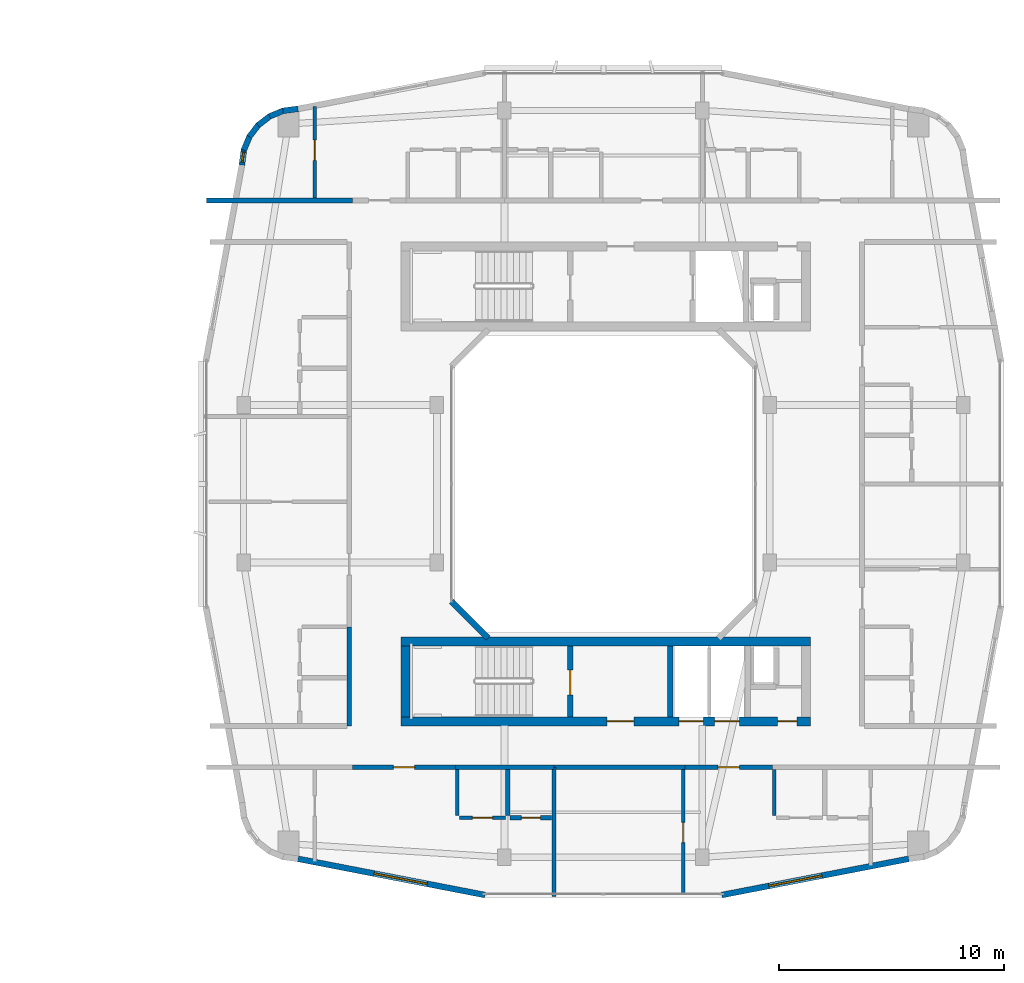
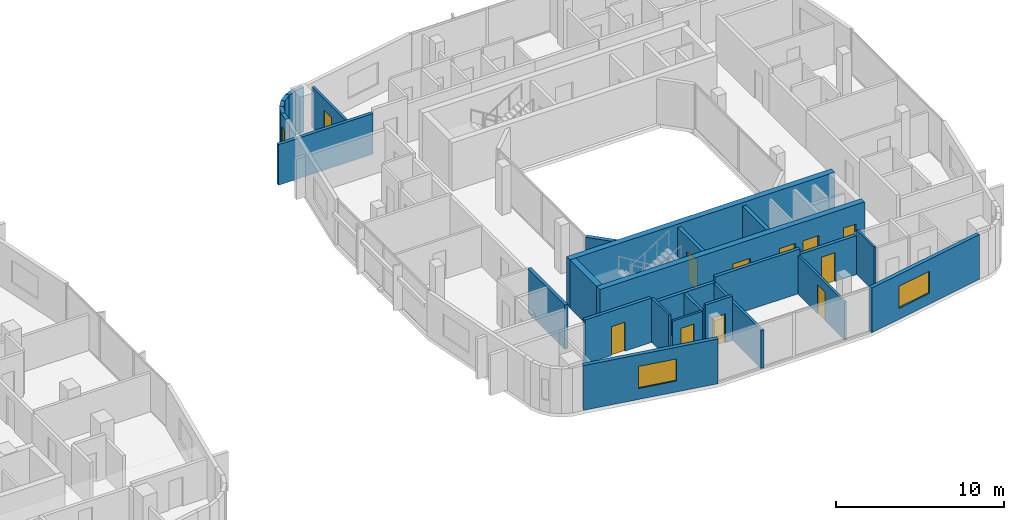
# One storey, part 17 of 26: 28 walls, 11 doors, 3 windows, 14 openings.
"""IFC4 building model written with IfcOpenShell, lengths in metres."""

from ifc_helpers import new_model, si_unit, derived_unit, direction, frame, frame_2d, origin, place, context, subcontext, project, spatial, rectangle, extrude, material, layer, layer_set, type_object, element, fill, save


model = new_model("IFC4")

# Units and contexts
model_context = context("Model", 3, precision=1e-05, world=origin(), true_north=direction((0.0, 1.0)))
body_context = subcontext(model_context, "Body", "Model", "MODEL_VIEW")
ifc_project = project(units=[si_unit("LENGTHUNIT", "METRE"), si_unit("AREAUNIT", "SQUARE_METRE"), si_unit("VOLUMEUNIT", "CUBIC_METRE"), si_unit("PLANEANGLEUNIT", "RADIAN"), si_unit("MASSUNIT", "GRAM", prefix="KILO"), derived_unit("THERMALTRANSMITTANCEUNIT", [(si_unit("POWERUNIT", "WATT"), 1), (si_unit("LENGTHUNIT", "METRE"), -2), (si_unit("THERMODYNAMICTEMPERATUREUNIT", "KELVIN"), -1)])], contexts=[model_context])

# Site, building, storey
site_placement = place(None, origin())
site = spatial("IfcSite", under=ifc_project, at=site_placement, CompositionType="ELEMENT")
building_placement = place(site_placement, origin())
building = spatial("IfcBuilding", under=site, at=building_placement, Name="Kivonza Crest Hotel", CompositionType="ELEMENT")
storey_placement = place(building_placement, frame((0.0, 0.0, 102.0)))
storey = spatial("IfcBuildingStorey", under=building, at=storey_placement, Name="L27", CompositionType="ELEMENT", Elevation=102.0)

# Walls
ifc_material_1 = material(Name="High-density acoustic masonry inter-tenancy wall", Category="masonry")
ifc_layer_1 = layer(ifc_material_1, 0.179931640625)
ifc_layer_set_1 = layer_set([ifc_layer_1], Name="High-density acoustic masonry inter-tenancy wall")
wall_type_1 = type_object("IfcWallType", Name="WL-ACOU-180", PredefinedType="SOLIDWALL", material=ifc_layer_set_1)
wall_1_placement = place(storey_placement, frame((74.800048828125, 6.659912109375, 0.0), z_axis=(0.0, 0.0, 1.0), x_axis=(0.0, 1.0, 0.0)))
element("IfcWall", 1, at=wall_1_placement, inside=storey, type_object=wall_type_1, Name="L27 interior partition WA-L27-T2S-DIV1", PredefinedType="SOLIDWALL", context=body_context, shape_type="SweptSolid", body=[
    extrude(rectangle(XDim=5.739990234375, YDim=0.179931640625, at=frame_2d((2.8701171875, 0.0))), origin(), (0.0, 0.0, 1.0), 2.77490234375),
])
ifc_material_2 = material(Name="Autoclaved aerated concrete blockwork", Category="masonry")
ifc_layer_2 = layer(ifc_material_2, 0.219970703125)
ifc_layer_set_2 = layer_set([ifc_layer_2], Name="Autoclaved aerated concrete blockwork")
wall_type_2 = type_object("IfcWallType", Name="WL-ACOU-220", PredefinedType="SOLIDWALL", material=ifc_layer_set_2)
wall_2_placement = place(storey_placement, frame((59.360107421875, 37.60009765625, 0.0), z_axis=(0.0, 0.0, 1.0), x_axis=(1.0, 0.0, 0.0)))
element("IfcWall", 2, at=wall_2_placement, inside=storey, type_object=wall_type_2, Name="L27 interior partition WA-L27-A01-LCORR", PredefinedType="SOLIDWALL", context=body_context, shape_type="SweptSolid", body=[
    extrude(rectangle(XDim=6.489990234375, YDim=0.219970703125, at=frame_2d((3.2451171875, 0.0))), origin(), (0.0, 0.0, 1.0), 2.945068359375),
])
wall_3_placement = place(storey_placement, frame((70.419921875, 12.39990234375, 0.0), z_axis=(0.0, 0.0, 1.0), x_axis=(1.0, 0.0, 0.0)))
element("IfcWall", 3, at=wall_3_placement, inside=storey, type_object=wall_type_2, Name="L27 interior partition WA-L27-A04-RCORR", PredefinedType="SOLIDWALL", context=body_context, shape_type="SweptSolid", body=[
    extrude(rectangle(XDim=4.380126953125, YDim=0.219970703125, at=frame_2d((2.18994140625, 0.0))), origin(), (0.0, 0.0, 1.0), 2.824951171875),
])

# Wall, opening, door
wall_4_placement = place(storey_placement, frame((65.85009765625, 12.39990234375, 0.0), z_axis=(0.0, 0.0, 1.0), x_axis=(1.0, 0.0, 0.0)))
wall_4 = element("IfcWall", 4, at=wall_4_placement, inside=storey, type_object=wall_type_2, Name="L27 interior partition WA-L27-A04-MCORR", PredefinedType="SOLIDWALL", context=body_context, shape_type="SweptSolid", body=[
    extrude(rectangle(XDim=4.56982421875, YDim=0.219970703125, at=frame_2d((2.284912109375, 0.0))), origin(), (0.0, 0.0, 1.0), 3.219970703125),
])
opening_1_placement = place(wall_4_placement, frame((1.81005859375, 0.0, 0.0)))
opening_1 = element("IfcOpeningElement", 5, at=opening_1_placement, cuts=wall_4, Name="Opening DU-60", PredefinedType="OPENING", context=body_context, shape_type="SweptSolid", body=[
    extrude(rectangle(XDim=0.949951171875, YDim=2.10009765625, at=frame_2d((0.47509765625, 1.050048828125))), frame((0.0, 0.1201171875, 0.0), z_axis=(0.0, -1.0, 0.0), x_axis=(1.0, 0.0, 0.0)), (0.0, 0.0, 1.0), 0.239990234375),
])
ifc_material_3 = material(Name="Hardwood timber oak", Category="wood")
door_type_1 = type_object("IfcDoorType", Name="DR-UNIT-950", OperationType="NOTDEFINED", PredefinedType="DOOR", material=ifc_material_3)
door_1_placement = place(opening_1_placement, frame((0.949951171875, 0.0, 0.0), z_axis=(0.0, 0.0, 1.0), x_axis=(-1.0, 0.0, 0.0)))
door_1 = element("IfcDoor", 6, at=door_1_placement, inside=storey, type_object=door_type_1, Name="L27 A04 apartment entrance fire door", OperationType="SINGLE_SWING_RIGHT", OverallHeight=2.10009765625, OverallWidth=0.949951171875, PredefinedType="DOOR", context=body_context, shape_type="SweptSolid", body=[
    extrude(rectangle(XDim=0.949951171875, YDim=2.10009765625, at=frame_2d((0.47509765625, 1.050048828125))), frame((0.0, 0.02490234375, 0.0), z_axis=(0.0, -1.0, 0.0), x_axis=(1.0, 0.0, 0.0)), (0.0, 0.0, 1.0), 0.050048828125),
])
fill(opening_1, door_1)

# Wall
wall_5_placement = place(storey_placement, frame((74.800048828125, 12.39990234375, 0.0), z_axis=(0.0, 0.0, 1.0), x_axis=(1.0, 0.0, 0.0)))
element("IfcWall", 7, at=wall_5_placement, inside=storey, type_object=wall_type_2, Name="L27 interior partition WA-L27-A05-LCORR", PredefinedType="SOLIDWALL", context=body_context, shape_type="SweptSolid", body=[
    extrude(rectangle(XDim=5.829833984375, YDim=0.219970703125, at=frame_2d((2.9150390625, 0.0))), origin(), (0.0, 0.0, 1.0), 3.219970703125),
])

# Wall, opening, door
wall_6_placement = place(storey_placement, frame((80.6298828125, 12.39990234375, 0.0), z_axis=(0.0, 0.0, 1.0), x_axis=(1.0, 0.0, 0.0)))
wall_6 = element("IfcWall", 8, at=wall_6_placement, inside=storey, type_object=wall_type_2, Name="L27 interior partition WA-L27-A05-MCORR", PredefinedType="SOLIDWALL", context=body_context, shape_type="SweptSolid", body=[
    extrude(rectangle(XDim=3.880126953125, YDim=0.219970703125, at=frame_2d((1.93994140625, 0.0))), origin(), (0.0, 0.0, 1.0), 2.824951171875),
])
opening_2_placement = place(wall_6_placement, frame((1.465087890625, 0.0, 0.0)))
opening_2 = element("IfcOpeningElement", 9, at=opening_2_placement, cuts=wall_6, Name="Opening DU-60", PredefinedType="OPENING", context=body_context, shape_type="SweptSolid", body=[
    extrude(rectangle(XDim=0.949951171875, YDim=2.10009765625, at=frame_2d((0.47509765625, 1.050048828125))), frame((0.0, 0.1201171875, 0.0), z_axis=(0.0, -1.0, 0.0), x_axis=(1.0, 0.0, 0.0)), (0.0, 0.0, 1.0), 0.239990234375),
])
door_2_placement = place(opening_2_placement, frame((0.949951171875, 0.0, 0.0), z_axis=(0.0, 0.0, 1.0), x_axis=(-1.0, 0.0, 0.0)))
door_2 = element("IfcDoor", 10, at=door_2_placement, inside=storey, type_object=door_type_1, Name="L27 A05 apartment entrance fire door", OperationType="SINGLE_SWING_LEFT", OverallHeight=2.10009765625, OverallWidth=0.949951171875, PredefinedType="DOOR", context=body_context, shape_type="SweptSolid", body=[
    extrude(rectangle(XDim=0.949951171875, YDim=2.10009765625, at=frame_2d((0.47509765625, 1.050048828125))), frame((0.0, 0.02490234375, 0.0), z_axis=(0.0, -1.0, 0.0), x_axis=(1.0, 0.0, 0.0)), (0.0, 0.0, 1.0), 0.050048828125),
])
fill(opening_2, door_2)

# Wall
wall_7_placement = place(storey_placement, frame((65.699951171875, 14.239990234375, 0.0), z_axis=(0.0, 0.0, 1.0), x_axis=(0.0, 1.0, 0.0)))
element("IfcWall", 11, at=wall_7_placement, inside=storey, type_object=wall_type_2, Name="L27 interior partition WA-L27-A06-BCORR", PredefinedType="SOLIDWALL", context=body_context, shape_type="SweptSolid", body=[
    extrude(rectangle(XDim=4.39990234375, YDim=0.219970703125, at=frame_2d((2.199951171875, 0.0))), origin(), (0.0, 0.0, 1.0), 3.219970703125),
])

# Wall, openings, doors
ifc_material_4 = material(Name="Concrete C50/60", Category="concrete")
ifc_layer_3 = layer(ifc_material_4, 0.39990234375)
ifc_layer_set_3 = layer_set([ifc_layer_3], Name="Concrete C50/60")
wall_type_3 = type_object("IfcWallType", Name="WL-CORE-400", PredefinedType="SHEAR", material=ifc_layer_set_3)
wall_8_placement = place(storey_placement, frame((68.0, 14.43994140625, 0.0), z_axis=(0.0, 0.0, 1.0), x_axis=(1.0, 0.0, 0.0)))
wall_8 = element("IfcWall", 12, at=wall_8_placement, inside=storey, type_object=wall_type_3, Name="Core wall T2-S South L27", PredefinedType="SHEAR", context=body_context, shape_type="SweptSolid", body=[
    extrude(rectangle(XDim=18.199951171875, YDim=0.39990234375, at=frame_2d((9.10009765625, 0.0))), origin(), (0.0, 0.0, 1.0), 3.5),
])
opening_3_placement = place(wall_8_placement, frame((9.14990234375, 0.0, 0.0)))
opening_3 = element("IfcOpeningElement", 13, at=opening_3_placement, cuts=wall_8, Name="Opening DF-60", PredefinedType="OPENING", context=body_context, shape_type="SweptSolid", body=[
    extrude(rectangle(XDim=1.199951171875, YDim=2.14990234375, at=frame_2d((0.60009765625, 1.074951171875))), frame((0.0, 0.2099609375, 0.0), z_axis=(0.0, -1.0, 0.0), x_axis=(1.0, 0.0, 0.0)), (0.0, 0.0, 1.0), 0.419921875),
])
opening_4_placement = place(wall_8_placement, frame((16.75, 0.0, 0.0)))
opening_4 = element("IfcOpeningElement", 14, at=opening_4_placement, cuts=wall_8, Name="Opening DF-60R", PredefinedType="OPENING", context=body_context, shape_type="SweptSolid", body=[
    extrude(rectangle(XDim=0.85009765625, YDim=2.10009765625, at=frame_2d((0.425048828125, 1.050048828125))), frame((0.0, 0.2099609375, 0.0), z_axis=(0.0, -1.0, 0.0), x_axis=(1.0, 0.0, 0.0)), (0.0, 0.0, 1.0), 0.419921875),
])
opening_5_placement = place(wall_8_placement, frame((12.35009765625, 0.0, 0.0)))
opening_5 = element("IfcOpeningElement", 15, at=opening_5_placement, cuts=wall_8, Name="Opening LD-120", PredefinedType="OPENING", context=body_context, shape_type="SweptSolid", body=[
    extrude(rectangle(XDim=1.10009765625, YDim=2.14990234375, at=frame_2d((0.550048828125, 1.074951171875))), frame((0.0, 0.2099609375, 0.0), z_axis=(0.0, -1.0, 0.0), x_axis=(1.0, 0.0, 0.0)), (0.0, 0.0, 1.0), 0.419921875),
])
opening_6_placement = place(wall_8_placement, frame((13.949951171875, 0.0, 0.0)))
opening_6 = element("IfcOpeningElement", 16, at=opening_6_placement, cuts=wall_8, Name="Opening LD-120", PredefinedType="OPENING", context=body_context, shape_type="SweptSolid", body=[
    extrude(rectangle(XDim=1.10009765625, YDim=2.14990234375, at=frame_2d((0.550048828125, 1.074951171875))), frame((0.0, 0.2099609375, 0.0), z_axis=(0.0, -1.0, 0.0), x_axis=(1.0, 0.0, 0.0)), (0.0, 0.0, 1.0), 0.419921875),
])
door_type_2 = type_object("IfcDoorType", Name="DR-FD60-1200", OperationType="NOTDEFINED", PredefinedType="DOOR", material=ifc_material_3)
door_3_placement = place(opening_3_placement, frame((1.199951171875, 0.0, 0.0), z_axis=(0.0, 0.0, 1.0), x_axis=(-1.0, 0.0, 0.0)))
door_3 = element("IfcDoor", 17, at=door_3_placement, inside=storey, type_object=door_type_2, Name="L27 T2-S firefighting lobby fire door", OperationType="SINGLE_SWING_LEFT", OverallHeight=2.14990234375, OverallWidth=1.199951171875, PredefinedType="DOOR", context=body_context, shape_type="SweptSolid", body=[
    extrude(rectangle(XDim=1.199951171875, YDim=2.14990234375, at=frame_2d((0.60009765625, 1.074951171875))), frame((0.0, 0.02490234375, 0.0), z_axis=(0.0, -1.0, 0.0), x_axis=(1.0, 0.0, 0.0)), (0.0, 0.0, 1.0), 0.050048828125),
])
fill(opening_3, door_3)
door_type_3 = type_object("IfcDoorType", Name="DR-FD60-850", OperationType="NOTDEFINED", PredefinedType="DOOR", material=ifc_material_3)
door_4_placement = place(opening_4_placement, frame((0.85009765625, 0.0, 0.0), z_axis=(0.0, 0.0, 1.0), x_axis=(-1.0, 0.0, 0.0)))
door_4 = element("IfcDoor", 18, at=door_4_placement, inside=storey, type_object=door_type_3, Name="L27 T2-S core room door", OperationType="SINGLE_SWING_RIGHT", OverallHeight=2.10009765625, OverallWidth=0.85009765625, PredefinedType="DOOR", context=body_context, shape_type="SweptSolid", body=[
    extrude(rectangle(XDim=0.85009765625, YDim=2.10009765625, at=frame_2d((0.425048828125, 1.050048828125))), frame((0.0, 0.02490234375, 0.0), z_axis=(0.0, -1.0, 0.0), x_axis=(1.0, 0.0, 0.0)), (0.0, 0.0, 1.0), 0.050048828125),
])
fill(opening_4, door_4)
ifc_material_5 = material(Name="Stainless steel", Category="steel")
door_type_4 = type_object("IfcDoorType", Name="DR-LD120-1100", OperationType="NOTDEFINED", PredefinedType="DOOR", material=ifc_material_5)
door_5_placement = place(opening_5_placement, frame((1.10009765625, 0.0, 0.0), z_axis=(0.0, 0.0, 1.0), x_axis=(-1.0, 0.0, 0.0)))
door_5 = element("IfcDoor", 19, at=door_5_placement, inside=storey, type_object=door_type_4, Name="L27 PL-T2-1 passenger lift sliding landing door", OperationType="DOUBLE_DOOR_SLIDING", OverallHeight=2.14990234375, OverallWidth=1.10009765625, PredefinedType="DOOR", context=body_context, shape_type="SweptSolid", body=[
    extrude(rectangle(XDim=1.10009765625, YDim=2.14990234375, at=frame_2d((0.550048828125, 1.074951171875))), frame((0.0, 0.02490234375, 0.0), z_axis=(0.0, -1.0, 0.0), x_axis=(1.0, 0.0, 0.0)), (0.0, 0.0, 1.0), 0.050048828125),
])
fill(opening_5, door_5)
door_6_placement = place(opening_6_placement, frame((1.10009765625, 0.0, 0.0), z_axis=(0.0, 0.0, 1.0), x_axis=(-1.0, 0.0, 0.0)))
door_6 = element("IfcDoor", 20, at=door_6_placement, inside=storey, type_object=door_type_4, Name="L27 PL-T2-2 passenger lift sliding landing door", OperationType="DOUBLE_DOOR_SLIDING", OverallHeight=2.14990234375, OverallWidth=1.10009765625, PredefinedType="DOOR", context=body_context, shape_type="SweptSolid", body=[
    extrude(rectangle(XDim=1.10009765625, YDim=2.14990234375, at=frame_2d((0.550048828125, 1.074951171875))), frame((0.0, 0.02490234375, 0.0), z_axis=(0.0, -1.0, 0.0), x_axis=(1.0, 0.0, 0.0)), (0.0, 0.0, 1.0), 0.050048828125),
])
fill(opening_6, door_6)

# Walls
wall_9_placement = place(storey_placement, frame((68.0, 18.0, 0.0), z_axis=(0.0, 0.0, 1.0), x_axis=(1.0, 0.0, 0.0)))
element("IfcWall", 21, at=wall_9_placement, inside=storey, type_object=wall_type_3, Name="Core wall T2-S North L27", PredefinedType="SHEAR", context=body_context, shape_type="SweptSolid", body=[
    extrude(rectangle(XDim=18.199951171875, YDim=0.39990234375, at=frame_2d((9.10009765625, 0.0))), origin(), (0.0, 0.0, 1.0), 3.5),
])
wall_10_placement = place(storey_placement, frame((68.199951171875, 14.639892578125, 0.0), z_axis=(0.0, 0.0, 1.0), x_axis=(0.0, 1.0, 0.0)))
element("IfcWall", 22, at=wall_10_placement, inside=storey, type_object=wall_type_3, Name="Core wall T2-S West L27", PredefinedType="SHEAR", context=body_context, shape_type="SweptSolid", body=[
    extrude(rectangle(XDim=3.16015625, YDim=0.39990234375, at=frame_2d((1.580078125, 0.0))), origin(), (0.0, 0.0, 1.0), 3.5),
])

# Wall, opening, window
ifc_material_6 = material(Name="Precast concrete C40/50", Category="concrete")
ifc_layer_4 = layer(ifc_material_6, 0.260009765625)
ifc_layer_set_4 = layer_set([ifc_layer_4], Name="Precast concrete C40/50")
wall_type_4 = type_object("IfcWallType", Name="WL-EXT-260", PredefinedType="STANDARD", material=ifc_layer_set_4)
wall_11_placement = place(storey_placement, frame((63.4169921875, 8.330078125, 0.0), z_axis=(0.0, 0.0, 1.0), x_axis=(0.981750199588, -0.190175039396, 0.0)))
wall_11 = element("IfcWall", 23, at=wall_11_placement, inside=storey, type_object=wall_type_4, Name="L27 T2 exterior insulated wall 7", PredefinedType="STANDARD", context=body_context, shape_type="SweptSolid", body=[
    extrude(rectangle(XDim=8.476806640625, YDim=0.260009765625, at=frame_2d((4.23828125, 0.0))), origin(), (0.0, 0.0, 1.0), 3.25),
])
opening_7_placement = place(wall_11_placement, frame((3.4541015625, 0.0, 0.800048828125)))
opening_7 = element("IfcOpeningElement", 24, at=opening_7_placement, cuts=wall_11, Name="Opening WN-05", PredefinedType="OPENING", context=body_context, shape_type="SweptSolid", body=[
    extrude(rectangle(XDim=2.39990234375, YDim=1.60009765625, at=frame_2d((1.199951171875, 0.800048828125))), frame((0.0, 0.14013671875, 0.0), z_axis=(0.0, -1.0, 0.0), x_axis=(1.0, 0.0, 0.0)), (0.0, 0.0, 1.0), 0.280029296875),
])
ifc_material_7 = material(Name="Thermally broken bronze aluminium and low-E double glazing", Category="aluminium")
window_type_1 = type_object("IfcWindowType", Name="WN-240x160", PartitioningType="TRIPLE_PANEL_VERTICAL", PredefinedType="WINDOW", material=ifc_material_7)
window_1_placement = place(opening_7_placement, origin())
window_1 = element("IfcWindow", 25, at=window_1_placement, inside=storey, type_object=window_type_1, Name="L27 T2 facade window 7", OverallHeight=1.60009765625, OverallWidth=2.39990234375, PartitioningType="SINGLE_PANEL", PredefinedType="WINDOW", context=body_context, shape_type="SweptSolid", body=[
    extrude(rectangle(XDim=2.39990234375, YDim=1.60009765625, at=frame_2d((1.199951171875, 0.800048828125))), frame((0.0, 0.030029296875, 0.0), z_axis=(0.0, -1.0, 0.0), x_axis=(1.0, 0.0, 0.0)), (0.0, 0.0, 1.0), 0.06005859375),
])
fill(opening_7, window_1)

wall_12_placement = place(storey_placement, frame((82.260986328125, 6.718017578125, 0.0), z_axis=(0.0, 0.0, 1.0), x_axis=(0.981750199588, 0.190175039396, 0.0)))
wall_12 = element("IfcWall", 26, at=wall_12_placement, inside=storey, type_object=wall_type_4, Name="L27 T2 exterior insulated wall 9", PredefinedType="STANDARD", context=body_context, shape_type="SweptSolid", body=[
    extrude(rectangle(XDim=8.476806640625, YDim=0.260009765625, at=frame_2d((4.23828125, 0.0))), origin(), (0.0, 0.0, 1.0), 3.25),
])
opening_8_placement = place(wall_12_placement, frame((2.138916015625, 0.0, 0.800048828125)))
opening_8 = element("IfcOpeningElement", 27, at=opening_8_placement, cuts=wall_12, Name="Opening WN-05", PredefinedType="OPENING", context=body_context, shape_type="SweptSolid", body=[
    extrude(rectangle(XDim=2.39990234375, YDim=1.60009765625, at=frame_2d((1.199951171875, 0.800048828125))), frame((0.0, 0.14013671875, 0.0), z_axis=(0.0, -1.0, 0.0), x_axis=(1.0, 0.0, 0.0)), (0.0, 0.0, 1.0), 0.280029296875),
])
window_2_placement = place(opening_8_placement, origin())
window_2 = element("IfcWindow", 28, at=window_2_placement, inside=storey, type_object=window_type_1, Name="L27 T2 facade window 9", OverallHeight=1.60009765625, OverallWidth=2.39990234375, PartitioningType="SINGLE_PANEL", PredefinedType="WINDOW", context=body_context, shape_type="SweptSolid", body=[
    extrude(rectangle(XDim=2.39990234375, YDim=1.60009765625, at=frame_2d((1.199951171875, 0.800048828125))), frame((0.0, 0.030029296875, 0.0), z_axis=(0.0, -1.0, 0.0), x_axis=(1.0, 0.0, 0.0)), (0.0, 0.0, 1.0), 0.06005859375),
])
fill(opening_8, window_2)

# Walls
wall_13_placement = place(storey_placement, frame((63.425048828125, 41.672119140625, 0.0), z_axis=(0.0, 0.0, 1.0), x_axis=(-0.991300187529, -0.13162043232, 0.0)))
element("IfcWall", 29, at=wall_13_placement, inside=storey, type_object=wall_type_4, Name="L27 T2 exterior insulated wall 28", PredefinedType="STANDARD", context=body_context, shape_type="SweptSolid", body=[
    extrude(rectangle(XDim=0.677001953125, YDim=0.260009765625, at=frame_2d((0.33837890625, 0.0))), origin(), (0.0, 0.0, 1.0), 3.25),
])
for number, where, z_axis, x_axis, name in (
    (30, (62.800048828125, 41.60107421875, 0.0), (0.0, 0.0, 1.0), (-0.924093981904, -0.382165294877, 0.0), "L27 T2 exterior insulated wall 29"),
    (31, (62.198974609375, 41.364013671875, 0.0), (0.0, 0.0, 1.0), (-0.792637067512, -0.609693758543, 0.0), "L27 T2 exterior insulated wall 30"),
    (32, (61.679931640625, 40.97900390625, 0.0), (0.0, 0.0, 1.0), (-0.609472651958, -0.792807092876, 0.0), "L27 T2 exterior insulated wall 31"),
):
    element("IfcWall", number, at=place(storey_placement, frame(where, z_axis=z_axis, x_axis=x_axis)), inside=storey, type_object=wall_type_4, Name=name, PredefinedType="STANDARD", context=body_context, shape_type="SweptSolid", body=[
        extrude(rectangle(XDim=0.69384765625, YDim=0.260009765625, at=frame_2d((0.346923828125, 0.0))), origin(), (0.0, 0.0, 1.0), 3.25),
    ])
wall_14_placement = place(storey_placement, frame((61.278076171875, 40.472900390625, 0.0), z_axis=(0.0, 0.0, 1.0), x_axis=(-0.382289608286, -0.924042561464, 0.0)))
element("IfcWall", 33, at=wall_14_placement, inside=storey, type_object=wall_type_4, Name="L27 T2 exterior insulated wall 32", PredefinedType="STANDARD", context=body_context, shape_type="SweptSolid", body=[
    extrude(rectangle(XDim=0.693603515625, YDim=0.260009765625, at=frame_2d((0.3466796875, 0.0))), origin(), (0.0, 0.0, 1.0), 3.25),
])

# Wall, opening, window
wall_15_placement = place(storey_placement, frame((61.02099609375, 39.881103515625, 0.0), z_axis=(0.0, 0.0, 1.0), x_axis=(-0.130614135366, -0.991433279471, 0.0)))
wall_15 = element("IfcWall", 34, at=wall_15_placement, inside=storey, type_object=wall_type_4, Name="L27 T2 exterior insulated wall 33", PredefinedType="STANDARD", context=body_context, shape_type="SweptSolid", body=[
    extrude(rectangle(XDim=0.712158203125, YDim=0.260009765625, at=frame_2d((0.35595703125, 0.0))), origin(), (0.0, 0.0, 1.0), 3.25),
])
opening_9_placement = place(wall_15_placement, frame((0.131103515625, 0.0, 0.85009765625)))
opening_9 = element("IfcOpeningElement", 35, at=opening_9_placement, cuts=wall_15, Name="Opening WN-11", PredefinedType="OPENING", context=body_context, shape_type="SweptSolid", body=[
    extrude(rectangle(XDim=0.449951171875, YDim=1.5, at=frame_2d((0.22509765625, 0.75))), frame((0.0, 0.14013671875, 0.0), z_axis=(0.0, -1.0, 0.0), x_axis=(1.0, 0.0, 0.0)), (0.0, 0.0, 1.0), 0.280029296875),
])
window_type_2 = type_object("IfcWindowType", Name="WN-045x150", PartitioningType="SINGLE_PANEL", PredefinedType="WINDOW", material=ifc_material_7)
window_3_placement = place(opening_9_placement, origin())
window_3 = element("IfcWindow", 36, at=window_3_placement, inside=storey, type_object=window_type_2, Name="L27 corner vision window 3", OverallHeight=1.5, OverallWidth=0.449951171875, PartitioningType="SINGLE_PANEL", PredefinedType="WINDOW", context=body_context, shape_type="SweptSolid", body=[
    extrude(rectangle(XDim=0.449951171875, YDim=1.5, at=frame_2d((0.22509765625, 0.75))), frame((0.0, 0.030029296875, 0.0), z_axis=(0.0, -1.0, 0.0), x_axis=(1.0, 0.0, 0.0)), (0.0, 0.0, 1.0), 0.06005859375),
])
fill(opening_9, window_3)

# Wall
wall_16_placement = place(storey_placement, frame((70.243896484375, 19.77197265625, 0.0), z_axis=(0.0, 0.0, 1.0), x_axis=(0.707106781187, -0.707106781187, 0.0)))
element("IfcWall", 37, at=wall_16_placement, inside=storey, type_object=wall_type_4, Name="L27 T2 light-well exterior wall 8", PredefinedType="STANDARD", context=body_context, shape_type="SweptSolid", body=[
    extrude(rectangle(XDim=2.310791015625, YDim=0.260009765625, at=frame_2d((1.1552734375, 0.0))), origin(), (0.0, 0.0, 1.0), 3.25),
])

# Wall, opening, door
ifc_material_8 = material(Name="Twin-stud acoustic gypsum board partition", Category="gypsum")
ifc_layer_5 = layer(ifc_material_8, 0.14990234375)
ifc_layer_set_5 = layer_set([ifc_layer_5], Name="Twin-stud acoustic gypsum board partition")
wall_type_5 = type_object("IfcWallType", Name="WL-PART-150", PredefinedType="PARTITIONING", material=ifc_layer_set_5)
wall_17_placement = place(storey_placement, frame((64.159912109375, 37.699951171875, 0.0), z_axis=(0.0, 0.0, 1.0), x_axis=(0.0, 1.0, 0.0)))
wall_17 = element("IfcWall", 38, at=wall_17_placement, inside=storey, type_object=wall_type_5, Name="L27 interior partition WP-L27-A01-BDW1", PredefinedType="PARTITIONING", context=body_context, shape_type="SweptSolid", body=[
    extrude(rectangle(XDim=4.0859375, YDim=0.14990234375, at=frame_2d((2.04296875, 0.0))), origin(), (0.0, 0.0, 1.0), 2.945068359375),
])
opening_10_placement = place(wall_17_placement, frame((1.679931640625, 0.0, 0.0)))
opening_10 = element("IfcOpeningElement", 39, at=opening_10_placement, cuts=wall_17, Name="Opening DI-90", PredefinedType="OPENING", context=body_context, shape_type="SweptSolid", body=[
    extrude(rectangle(XDim=0.89990234375, YDim=2.10009765625, at=frame_2d((0.449951171875, 1.050048828125))), frame((0.0, 0.0849609375, 0.0), z_axis=(0.0, -1.0, 0.0), x_axis=(1.0, 0.0, 0.0)), (0.0, 0.0, 1.0), 0.169921875),
])
door_type_5 = type_object("IfcDoorType", Name="DR-INT-900", OperationType="NOTDEFINED", PredefinedType="DOOR", material=ifc_material_3)
door_7_placement = place(opening_10_placement, origin())
door_7 = element("IfcDoor", 40, at=door_7_placement, inside=storey, type_object=door_type_5, Name="L27 A01 bedroom 1 door", OperationType="SINGLE_SWING_RIGHT", OverallHeight=2.10009765625, OverallWidth=0.89990234375, PredefinedType="DOOR", context=body_context, shape_type="SweptSolid", body=[
    extrude(rectangle(XDim=0.89990234375, YDim=2.10009765625, at=frame_2d((0.449951171875, 1.050048828125))), frame((0.0, 0.02490234375, 0.0), z_axis=(0.0, -1.0, 0.0), x_axis=(1.0, 0.0, 0.0)), (0.0, 0.0, 1.0), 0.050048828125),
])
fill(opening_10, door_7)

# Wall
wall_18_placement = place(storey_placement, frame((70.5, 10.25, 0.0), z_axis=(0.0, 0.0, 1.0), x_axis=(0.0, 1.0, 0.0)))
element("IfcWall", 41, at=wall_18_placement, inside=storey, type_object=wall_type_5, Name="L27 interior partition WP-L27-A04-KF", PredefinedType="PARTITIONING", context=body_context, shape_type="SweptSolid", body=[
    extrude(rectangle(XDim=2.050048828125, YDim=0.14990234375, at=frame_2d((1.02490234375, 0.0))), origin(), (0.0, 0.0, 1.0), 3.219970703125),
])

# Wall, opening, door
wall_19_placement = place(storey_placement, frame((70.60009765625, 10.14990234375, 0.0), z_axis=(0.0, 0.0, 1.0), x_axis=(1.0, 0.0, 0.0)))
wall_19 = element("IfcWall", 42, at=wall_19_placement, inside=storey, type_object=wall_type_5, Name="L27 interior partition WP-L27-A04-KSVC", PredefinedType="PARTITIONING", context=body_context, shape_type="SweptSolid", body=[
    extrude(rectangle(XDim=2.0498046875, YDim=0.14990234375, at=frame_2d((1.02490234375, 0.0))), origin(), (0.0, 0.0, 1.0), 2.824951171875),
])
opening_11_placement = place(wall_19_placement, frame((0.574951171875, 0.0, 0.0)))
opening_11 = element("IfcOpeningElement", 43, at=opening_11_placement, cuts=wall_19, Name="Opening DI-90", PredefinedType="OPENING", context=body_context, shape_type="SweptSolid", body=[
    extrude(rectangle(XDim=0.89990234375, YDim=2.10009765625, at=frame_2d((0.449951171875, 1.050048828125))), frame((0.0, 0.0849609375, 0.0), z_axis=(0.0, -1.0, 0.0), x_axis=(1.0, 0.0, 0.0)), (0.0, 0.0, 1.0), 0.169921875),
])
door_8_placement = place(opening_11_placement, frame((0.89990234375, 0.0, 0.0), z_axis=(0.0, 0.0, 1.0), x_axis=(-1.0, 0.0, 0.0)))
door_8 = element("IfcDoor", 44, at=door_8_placement, inside=storey, type_object=door_type_5, Name="L27 A04 apartment kitchen door", OperationType="SINGLE_SWING_RIGHT", OverallHeight=2.10009765625, OverallWidth=0.89990234375, PredefinedType="DOOR", context=body_context, shape_type="SweptSolid", body=[
    extrude(rectangle(XDim=0.89990234375, YDim=2.10009765625, at=frame_2d((0.449951171875, 1.050048828125))), frame((0.0, 0.02490234375, 0.0), z_axis=(0.0, -1.0, 0.0), x_axis=(1.0, 0.0, 0.0)), (0.0, 0.0, 1.0), 0.050048828125),
])
fill(opening_11, door_8)

wall_20_placement = place(storey_placement, frame((80.550048828125, 6.760009765625, 0.0), z_axis=(0.0, 0.0, 1.0), x_axis=(0.0, 1.0, 0.0)))
wall_20 = element("IfcWall", 45, at=wall_20_placement, inside=storey, type_object=wall_type_5, Name="L27 interior partition WP-L27-A05-BDW1", PredefinedType="PARTITIONING", context=body_context, shape_type="SweptSolid", body=[
    extrude(rectangle(XDim=5.5400390625, YDim=0.14990234375, at=frame_2d((2.77001953125, 0.0))), origin(), (0.0, 0.0, 1.0), 2.77490234375),
])
opening_12_placement = place(wall_20_placement, frame((2.2900390625, 0.0, 0.0)))
opening_12 = element("IfcOpeningElement", 46, at=opening_12_placement, cuts=wall_20, Name="Opening DI-90", PredefinedType="OPENING", context=body_context, shape_type="SweptSolid", body=[
    extrude(rectangle(XDim=0.89990234375, YDim=2.10009765625, at=frame_2d((0.449951171875, 1.050048828125))), frame((0.0, 0.0849609375, 0.0), z_axis=(0.0, -1.0, 0.0), x_axis=(1.0, 0.0, 0.0)), (0.0, 0.0, 1.0), 0.169921875),
])
door_9_placement = place(opening_12_placement, origin())
door_9 = element("IfcDoor", 47, at=door_9_placement, inside=storey, type_object=door_type_5, Name="L27 A05 bedroom 1 door", OperationType="SINGLE_SWING_RIGHT", OverallHeight=2.10009765625, OverallWidth=0.89990234375, PredefinedType="DOOR", context=body_context, shape_type="SweptSolid", body=[
    extrude(rectangle(XDim=0.89990234375, YDim=2.10009765625, at=frame_2d((0.449951171875, 1.050048828125))), frame((0.0, 0.02490234375, 0.0), z_axis=(0.0, -1.0, 0.0), x_axis=(1.0, 0.0, 0.0)), (0.0, 0.0, 1.0), 0.050048828125),
])
fill(opening_12, door_9)

# Walls
wall_21_placement = place(storey_placement, frame((84.590087890625, 10.25, 0.0), z_axis=(0.0, 0.0, 1.0), x_axis=(0.0, 1.0, 0.0)))
element("IfcWall", 48, at=wall_21_placement, inside=storey, type_object=wall_type_5, Name="L27 interior partition WP-L27-A05-KF", PredefinedType="PARTITIONING", context=body_context, shape_type="SweptSolid", body=[
    extrude(rectangle(XDim=2.050048828125, YDim=0.14990234375, at=frame_2d((1.02490234375, 0.0))), origin(), (0.0, 0.0, 1.0), 3.219970703125),
])
ifc_material_9 = material(Name="Moisture-resistant plumbing chase partition wall", Category="gypsum")
ifc_layer_6 = layer(ifc_material_9, 0.199951171875)
ifc_layer_set_6 = layer_set([ifc_layer_6], Name="Moisture-resistant plumbing chase partition wall")
wall_type_6 = type_object("IfcWallType", Name="WL-PLUMB-200", PredefinedType="PLUMBINGWALL", material=ifc_layer_set_6)
wall_22_placement = place(storey_placement, frame((72.75, 10.25, 0.0), z_axis=(0.0, 0.0, 1.0), x_axis=(0.0, 1.0, 0.0)))
element("IfcWall", 49, at=wall_22_placement, inside=storey, type_object=wall_type_6, Name="L27 interior partition WW-L27-A04-BK", PredefinedType="PLUMBINGWALL", context=body_context, shape_type="SweptSolid", body=[
    extrude(rectangle(XDim=2.050048828125, YDim=0.199951171875, at=frame_2d((1.02490234375, 0.0))), origin(), (0.0, 0.0, 1.0), 2.77490234375),
])

# Wall, opening, door
wall_23_placement = place(storey_placement, frame((72.85009765625, 10.14990234375, 0.0), z_axis=(0.0, 0.0, 1.0), x_axis=(1.0, 0.0, 0.0)))
wall_23 = element("IfcWall", 50, at=wall_23_placement, inside=storey, type_object=wall_type_6, Name="L27 interior partition WW-L27-A04-BSVC", PredefinedType="PLUMBINGWALL", context=body_context, shape_type="SweptSolid", body=[
    extrude(rectangle(XDim=1.849853515625, YDim=0.199951171875, at=frame_2d((0.9248046875, 0.0))), origin(), (0.0, 0.0, 1.0), 3.219970703125),
])
opening_13_placement = place(wall_23_placement, frame((0.5, 0.0, 0.0)))
opening_13 = element("IfcOpeningElement", 51, at=opening_13_placement, cuts=wall_23, Name="Opening DI-85", PredefinedType="OPENING", context=body_context, shape_type="SweptSolid", body=[
    extrude(rectangle(XDim=0.85009765625, YDim=2.10009765625, at=frame_2d((0.425048828125, 1.050048828125))), frame((0.0, 0.10986328125, 0.0), z_axis=(0.0, -1.0, 0.0), x_axis=(1.0, 0.0, 0.0)), (0.0, 0.0, 1.0), 0.219970703125),
])
door_type_6 = type_object("IfcDoorType", Name="DR-INT-850", OperationType="NOTDEFINED", PredefinedType="DOOR", material=ifc_material_3)
door_10_placement = place(opening_13_placement, frame((0.85009765625, 0.0, 0.0), z_axis=(0.0, 0.0, 1.0), x_axis=(-1.0, 0.0, 0.0)))
door_10 = element("IfcDoor", 52, at=door_10_placement, inside=storey, type_object=door_type_6, Name="L27 A04 apartment bathroom door", OperationType="SINGLE_SWING_LEFT", OverallHeight=2.10009765625, OverallWidth=0.85009765625, PredefinedType="DOOR", context=body_context, shape_type="SweptSolid", body=[
    extrude(rectangle(XDim=0.85009765625, YDim=2.10009765625, at=frame_2d((0.425048828125, 1.050048828125))), frame((0.0, 0.02490234375, 0.0), z_axis=(0.0, -1.0, 0.0), x_axis=(1.0, 0.0, 0.0)), (0.0, 0.0, 1.0), 0.050048828125),
])
fill(opening_13, door_10)

ifc_layer_7 = layer(ifc_material_4, 0.25)
ifc_layer_set_7 = layer_set([ifc_layer_7], Name="Concrete C50/60")
wall_type_7 = type_object("IfcWallType", Name="WL-SHAFT-250", PredefinedType="STANDARD", material=ifc_layer_set_7)
wall_24_placement = place(storey_placement, frame((75.52490234375, 14.639892578125, 0.0), z_axis=(0.0, 0.0, 1.0), x_axis=(0.0, 1.0, 0.0)))
wall_24 = element("IfcWall", 53, at=wall_24_placement, inside=storey, type_object=wall_type_7, Name="Core shaft wall T2-S STAIR L27", PredefinedType="STANDARD", context=body_context, shape_type="SweptSolid", body=[
    extrude(rectangle(XDim=3.16015625, YDim=0.25, at=frame_2d((1.580078125, 0.0))), origin(), (0.0, 0.0, 1.0), 3.25),
])
opening_14_placement = place(wall_24_placement, frame((0.97998046875, 0.0, 0.0)))
opening_14 = element("IfcOpeningElement", 54, at=opening_14_placement, cuts=wall_24, Name="Opening DF-120", PredefinedType="OPENING", context=body_context, shape_type="SweptSolid", body=[
    extrude(rectangle(XDim=1.10009765625, YDim=2.14990234375, at=frame_2d((0.550048828125, 1.074951171875))), frame((0.0, 0.135009765625, 0.0), z_axis=(0.0, -1.0, 0.0), x_axis=(1.0, 0.0, 0.0)), (0.0, 0.0, 1.0), 0.27001953125),
])
ifc_material_10 = material(Name="Galvanised steel", Category="steel")
door_type_7 = type_object("IfcDoorType", Name="DR-FD120-1100", OperationType="NOTDEFINED", PredefinedType="DOOR", material=ifc_material_10)
door_11_placement = place(opening_14_placement, frame((1.10009765625, 0.0, 0.0), z_axis=(0.0, 0.0, 1.0), x_axis=(-1.0, 0.0, 0.0)))
door_11 = element("IfcDoor", 55, at=door_11_placement, inside=storey, type_object=door_type_7, Name="L27 T2-S stair fire door", OperationType="SINGLE_SWING_RIGHT", OverallHeight=2.14990234375, OverallWidth=1.10009765625, PredefinedType="DOOR", context=body_context, shape_type="SweptSolid", body=[
    extrude(rectangle(XDim=1.10009765625, YDim=2.14990234375, at=frame_2d((0.550048828125, 1.074951171875))), frame((0.0, 0.02490234375, 0.0), z_axis=(0.0, -1.0, 0.0), x_axis=(1.0, 0.0, 0.0)), (0.0, 0.0, 1.0), 0.050048828125),
])
fill(opening_14, door_11)

# Wall
wall_25_placement = place(storey_placement, frame((79.97509765625, 14.639892578125, 0.0), z_axis=(0.0, 0.0, 1.0), x_axis=(0.0, 1.0, 0.0)))
element("IfcWall", 56, at=wall_25_placement, inside=storey, type_object=wall_type_7, Name="Core shaft wall T2-S BANK-W L27", PredefinedType="STANDARD", context=body_context, shape_type="SweptSolid", body=[
    extrude(rectangle(XDim=3.16015625, YDim=0.25, at=frame_2d((1.580078125, 0.0))), origin(), (0.0, 0.0, 1.0), 3.25),
])

save(model, "model.ifc")
